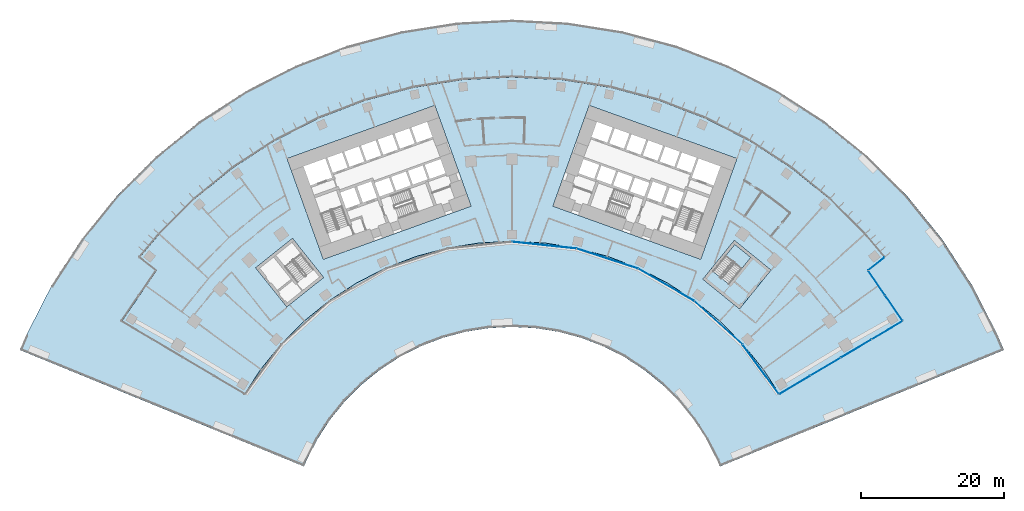
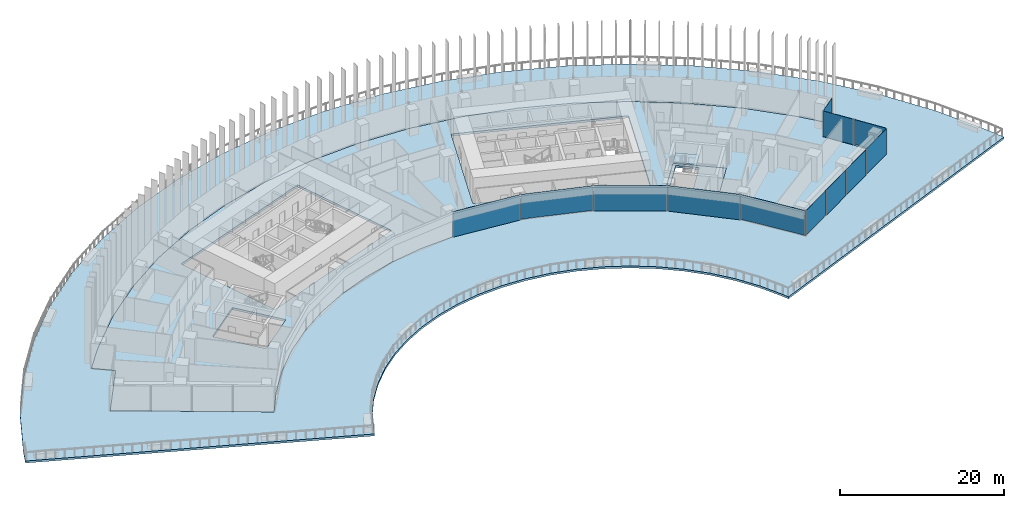
# One storey, part 13 of 24: 12 plates, 4 slabs, 5 elements without a shape of their own.
"""IFC4 building model written with IfcOpenShell, lengths in metres."""

import ifcopenshell
import ifcopenshell.guid

model = None  # the IFC model being written
_history = None  # IfcOwnerHistory: only IFC2X3 demands one
_inside = {}  # id of a spatial element -> (the spatial element, [elements in it])
_under = {}  # id of a project, library or spatial element -> (it, [spatial elements below it])
_declared = {}  # id of a project -> (the project, [libraries it declares])
_typed = {}  # id of a type object -> (the type object, [elements of that type])
_made_of = {}  # id of a material, layer set ... -> (it, [elements and type objects made of it])


def new_model(schema):
    """Start an empty IFC model of exactly this schema.

    Asked for "IFC4X3", IfcOpenShell would pick the latest addendum, in which some entities
    have other attributes; the version numbers below select the first issue.
    IFC2X3 requires an IfcOwnerHistory on every rooted entity: one is made here for all.
    """
    global model, _history
    if schema == "IFC4X3":
        model = ifcopenshell.file(schema_version=(4, 3, 0, 0))
    else:
        model = ifcopenshell.file(schema=schema)
    _inside.clear()
    _under.clear()
    _declared.clear()
    _typed.clear()
    _made_of.clear()
    _history = None
    if model.schema == "IFC2X3":
        org = make("IfcOrganization", Name="unknown")
        user = make(
            "IfcPersonAndOrganization",
            ThePerson=make("IfcPerson", FamilyName="unknown"),
            TheOrganization=org,
        )
        app = make(
            "IfcApplication",
            ApplicationDeveloper=org,
            Version="unknown",
            ApplicationFullName="unknown",
            ApplicationIdentifier="unknown",
        )
        _history = make(
            "IfcOwnerHistory",
            OwningUser=user,
            OwningApplication=app,
            ChangeAction="ADDED",
            CreationDate=0,
        )
    return model


def make(cls, **values):
    """One entity of the class cls with the attributes given. An attribute that is None is left unset."""
    return model.create_entity(
        cls, **{name: value for name, value in values.items() if value is not None}
    )


def rooted(cls, **values):
    """An entity with a GlobalId (a new one), such as an element, a storey or a relation."""
    return make(cls, GlobalId=ifcopenshell.guid.new(), OwnerHistory=_history, **values)


def si_unit(unit_type, name, prefix=None):
    """IfcSIUnit, for example si_unit("LENGTHUNIT", "METRE", prefix="MILLI")."""
    return make("IfcSIUnit", UnitType=unit_type, Prefix=prefix, Name=name)


def assignment(units):
    """IfcUnitAssignment: the units of a project."""
    return None if units is None else make("IfcUnitAssignment", Units=units)


def point(xyz):
    """IfcCartesianPoint."""
    return None if xyz is None else make("IfcCartesianPoint", Coordinates=xyz)


def direction(xyz):
    """IfcDirection."""
    return None if xyz is None else make("IfcDirection", DirectionRatios=xyz)


def frame(location, z_axis=None, x_axis=None):
    """IfcAxis2Placement3D, a coordinate frame: its origin and axes. An axis left out is left unset."""
    return make(
        "IfcAxis2Placement3D",
        Location=point(location),
        Axis=direction(z_axis),
        RefDirection=direction(x_axis),
    )


def frame_2d(location, x_axis=None):
    """IfcAxis2Placement2D, a coordinate frame in the plane: its origin and x axis."""
    return make(
        "IfcAxis2Placement2D", Location=point(location), RefDirection=direction(x_axis)
    )


def origin():
    """The frame at (0, 0, 0) with its axes left unset."""
    return frame((0.0, 0.0, 0.0))


def origin_2d():
    """The frame at (0, 0) in the plane with its x axis left unset."""
    return frame_2d((0.0, 0.0))


def place(relative_to, where):
    """IfcLocalPlacement: puts the frame where relative to a parent placement (None: the world)."""
    return make(
        "IfcLocalPlacement", PlacementRelTo=relative_to, RelativePlacement=where
    )


def context(
    kind, dimensions, precision=None, world=None, true_north=None, identifier=None
):
    """IfcGeometricRepresentationContext, for example the 3D "Model" context."""
    return make(
        "IfcGeometricRepresentationContext",
        ContextIdentifier=identifier,
        ContextType=kind,
        CoordinateSpaceDimension=dimensions,
        Precision=precision,
        WorldCoordinateSystem=world,
        TrueNorth=true_north,
    )


def subcontext(parent, identifier, kind, view, scale=None):
    """IfcGeometricRepresentationSubContext, for example "Body" below "Model"."""
    return make(
        "IfcGeometricRepresentationSubContext",
        ContextIdentifier=identifier,
        ContextType=kind,
        ParentContext=parent,
        TargetScale=scale,
        TargetView=view,
    )


def project(units=None, contexts=None):
    """IfcProject with its units and contexts."""
    return rooted(
        "IfcProject",
        Name="project",
        RepresentationContexts=contexts,
        UnitsInContext=assignment(units),
    )


def spatial(cls, under=None, at=None, **own):
    """A site, building, storey or space (cls), placed at a placement, below another one or the project."""
    s = rooted(cls, ObjectPlacement=at, **own)
    if under is not None:
        _under.setdefault(under.id(), (under, []))[1].append(s)
    return s


def polyline(points):
    """IfcPolyline through the points."""
    return make("IfcPolyline", Points=[point(p) for p in points])


def profile(cls, at=None, kind="AREA", **sizes):
    """A parametric profile (cls). Its sizes go by their IFC names, for example OverallWidth=200.0."""
    return make(cls, ProfileType=kind, Position=at, **sizes)


def rectangle(**sizes):
    """IfcRectangleProfileDef."""
    return profile("IfcRectangleProfileDef", **sizes)


def outline(outer, holes=None, kind="AREA"):
    """IfcArbitraryClosedProfileDef: a profile drawn as a closed curve; with holes, ...WithVoids."""
    if holes is None:
        return make("IfcArbitraryClosedProfileDef", ProfileType=kind, OuterCurve=outer)
    return make(
        "IfcArbitraryProfileDefWithVoids",
        ProfileType=kind,
        OuterCurve=outer,
        InnerCurves=holes,
    )


def extrude(swept, where, along, depth):
    """IfcExtrudedAreaSolid: the profile swept, set in the frame where, extruded along a direction by depth."""
    return make(
        "IfcExtrudedAreaSolid",
        SweptArea=swept,
        Position=where,
        ExtrudedDirection=direction(along),
        Depth=depth,
    )


def shape(context_of_items, identifier, shape_type, items):
    """IfcShapeRepresentation: the items that make up one representation, for example the "Body"."""
    return make(
        "IfcShapeRepresentation",
        ContextOfItems=context_of_items,
        RepresentationIdentifier=identifier,
        RepresentationType=shape_type,
        Items=items,
    )


def material(Name=None, Category=None):
    """IfcMaterial."""
    return make("IfcMaterial", Name=Name, Category=Category)


def layer(
    of_material, thickness, ventilated=None, Name=None, Category=None, Priority=None
):
    """IfcMaterialLayer: one layer of a wall or slab, of a material (None: an air gap)."""
    return make(
        "IfcMaterialLayer",
        Material=of_material,
        LayerThickness=thickness,
        IsVentilated=ventilated,
        Name=Name,
        Category=Category,
        Priority=Priority,
    )


def layer_set(layers, Name=None):
    """IfcMaterialLayerSet."""
    return make("IfcMaterialLayerSet", MaterialLayers=layers, LayerSetName=Name)


def made_of(thing, what):
    """Note that an element or type object is made of a material, layer set ...; save() writes the relation."""
    if what is not None:
        _made_of.setdefault(what.id(), (what, []))[1].append(thing)
    return thing


def type_object(cls, material=None, **own):
    """A type object (cls), such as IfcWallType, which elements share."""
    return made_of(rooted(cls, **own), material)


def element(
    cls,
    number,
    at=None,
    inside=None,
    cuts=None,
    type_object=None,
    material=None,
    context=None,
    identifier="Body",
    shape_type=None,
    held_by="IfcProductDefinitionShape",
    body=None,
    shapes=None,
    **own,
):
    """One element of the class cls, such as IfcWall. Its Tag is "e" and its number.

    at: its placement. inside: the storey or other place that contains it. cuts: it is an
    opening in that element (IfcRelVoidsElement). A single representation is given by context,
    identifier, shape_type and body (its items); several are given by shapes. held_by: the class
    of the entity that holds the representations. save() writes the other relations.
    """
    e = rooted(cls, Tag="e%d" % number, ObjectPlacement=at, **own)
    if body is not None:
        shapes = [shape(context, identifier, shape_type, body)]
    if shapes is not None:
        e.Representation = make(held_by, Representations=shapes)
    if inside is not None:
        _inside.setdefault(inside.id(), (inside, []))[1].append(e)
    if cuts is not None:
        rooted(
            "IfcRelVoidsElement", RelatingBuildingElement=cuts, RelatedOpeningElement=e
        )
    if type_object is not None:
        _typed.setdefault(type_object.id(), (type_object, []))[1].append(e)
    return made_of(e, material)


def aggregate(whole, parts):
    """IfcRelAggregates: a whole, such as a stair, and the parts it consists of."""
    return rooted("IfcRelAggregates", RelatingObject=whole, RelatedObjects=parts)


def save(model, path):
    """Write the relations noted so far, then the file.

    IfcRelAggregates (storeys below a building ...), IfcRelContainedInSpatialStructure (elements
    in a storey), IfcRelDefinesByType, IfcRelAssociatesMaterial and IfcRelDeclares: one each for
    every whole, place, type object, material and project.
    """
    for whole, parts in _under.values():
        aggregate(whole, parts)
    for where, things in _inside.values():
        rooted(
            "IfcRelContainedInSpatialStructure",
            RelatedElements=things,
            RelatingStructure=where,
        )
    for kind, things in _typed.values():
        rooted("IfcRelDefinesByType", RelatedObjects=things, RelatingType=kind)
    for what, things in _made_of.values():
        rooted("IfcRelAssociatesMaterial", RelatedObjects=things, RelatingMaterial=what)
    for by, libraries in _declared.values():
        rooted("IfcRelDeclares", RelatingContext=by, RelatedDefinitions=libraries)
    model.write(path)


model = new_model("IFC4")

# Units and contexts
model_context = context("Model", 3, precision=1e-05, world=origin(), true_north=direction((0.0, 1.0)))
body_context = subcontext(model_context, "Body", "Model", "MODEL_VIEW")
ifc_project = project(units=[si_unit("LENGTHUNIT", "METRE"), si_unit("AREAUNIT", "SQUARE_METRE"), si_unit("VOLUMEUNIT", "CUBIC_METRE"), si_unit("PLANEANGLEUNIT", "RADIAN"), si_unit("MASSUNIT", "GRAM", prefix="KILO")], contexts=[model_context])

# Site, building, storey
site_placement = place(None, origin())
site = spatial("IfcSite", under=ifc_project, at=site_placement, CompositionType="ELEMENT")
building_placement = place(site_placement, origin())
building = spatial("IfcBuilding", under=site, at=building_placement, Name="Stone Belt Terrace Tower", CompositionType="ELEMENT")
storey_placement = place(building_placement, frame((0.0, 0.0, 30.0)))
storey = spatial("IfcBuildingStorey", under=building, at=storey_placement, Name="L06", CompositionType="ELEMENT", Elevation=30.0)

# Curtain wall, plates
ifc_material_1 = material(Name="Aluminium 6063-T6 anodised frame", Category="aluminium")
ifc_layer_1 = layer(ifc_material_1, 0.14990234375)
ifc_layer_set_1 = layer_set([ifc_layer_1], Name="CW-B unitised concave-face curtain wall")
curtain_wall_type_1 = type_object("IfcCurtainWallType", Name="CW-B unitised concave-face curtain wall", PredefinedType="NOTDEFINED", material=ifc_layer_set_1)
curtain_wall_1_placement = place(storey_placement, origin())
curtain_wall_1 = element("IfcCurtainWall", 1, at=curtain_wall_1_placement, inside=storey, type_object=curtain_wall_type_1, Name="CW-B concave face L06", PredefinedType="NOTDEFINED")
ifc_material_2 = material(Name="Clear double glazed unit")
ifc_layer_2 = layer(ifc_material_2, 0.030029296875)
ifc_layer_set_2 = layer_set([ifc_layer_2], Name="CW-B glass panel 30")
plate_type_1 = type_object("IfcPlateType", Name="CW-B glass panel 30", PredefinedType="CURTAIN_PANEL", material=ifc_layer_set_2)
plate_1_placement = place(storey_placement, frame((4.51416015625, 42.9501953125, 0.0), z_axis=(0.0, 0.0, 1.0), x_axis=(0.994521895368, -0.104528463268, 0.0)))
plate_1 = element("IfcPlate", 2, at=plate_1_placement, type_object=plate_type_1, Name="CW-B panel 6.1", PredefinedType="CURTAIN_PANEL", context=body_context, shape_type="SweptSolid", body=[
    extrude(rectangle(XDim=9.0126953125, YDim=0.030029296875, at=origin_2d()), origin(), (0.0, 0.0, 1.0), 3.800048828125),
])
plate_2_placement = place(storey_placement, frame((13.345458984375, 41.072998046875, 0.1201171875), z_axis=(0.0, 0.0, 1.0), x_axis=(0.951056516295, -0.309016994375, 0.0)))
plate_2 = element("IfcPlate", 3, at=plate_2_placement, type_object=plate_type_1, Name="CW-B panel 7.1", PredefinedType="CURTAIN_PANEL", context=body_context, shape_type="SweptSolid", body=[
    extrude(rectangle(XDim=9.0126953125, YDim=0.030029296875, at=origin_2d()), origin(), (0.0, 0.0, 1.0), 3.679931640625),
])
plate_3_placement = place(storey_placement, frame((21.59326171875, 37.40087890625, 0.0), z_axis=(0.0, 0.0, 1.0), x_axis=(0.866025403784, -0.5, 0.0)))
plate_3 = element("IfcPlate", 4, at=plate_3_placement, type_object=plate_type_1, Name="CW-B panel 8.1", PredefinedType="CURTAIN_PANEL", context=body_context, shape_type="SweptSolid", body=[
    extrude(rectangle(XDim=9.0126953125, YDim=0.030029296875, at=origin_2d()), origin(), (0.0, 0.0, 1.0), 3.800048828125),
])
plate_4_placement = place(storey_placement, frame((28.897705078125, 32.09375, 0.0), z_axis=(0.0, 0.0, 1.0), x_axis=(0.743144825477, -0.669130606359, 0.0)))
plate_4 = element("IfcPlate", 5, at=plate_4_placement, type_object=plate_type_1, Name="CW-B panel 9.1", PredefinedType="CURTAIN_PANEL", context=body_context, shape_type="SweptSolid", body=[
    extrude(rectangle(XDim=9.01318359375, YDim=0.030029296875, at=origin_2d()), origin(), (0.0, 0.0, 1.0), 3.800048828125),
])
plate_5_placement = place(storey_placement, frame((34.831787109375, 25.57177734375, 0.1201171875), z_axis=(0.0, 0.0, 1.0), x_axis=(0.592159017675, -0.805821132626, 0.0)))
plate_5 = element("IfcPlate", 6, at=plate_5_placement, type_object=plate_type_1, Name="CW-B panel 10.1", PredefinedType="CURTAIN_PANEL", context=body_context, shape_type="SweptSolid", body=[
    extrude(rectangle(XDim=8.583984375, YDim=0.030029296875, at=origin_2d()), origin(), (0.0, 0.0, 1.0), 3.679931640625),
])
aggregate(curtain_wall_1, [plate_1, plate_2, plate_3, plate_4, plate_5])

ifc_layer_3 = layer(ifc_material_1, 0.14990234375)
ifc_layer_set_3 = layer_set([ifc_layer_3], Name="CW-C stick curtain wall, horn ends and notches")
curtain_wall_type_2 = type_object("IfcCurtainWallType", Name="CW-C stick curtain wall, horn ends and notches", PredefinedType="NOTDEFINED", material=ifc_layer_set_3)
curtain_wall_2_placement = place(storey_placement, origin())
curtain_wall_2 = element("IfcCurtainWall", 7, at=curtain_wall_2_placement, inside=storey, type_object=curtain_wall_type_2, Name="CW-C end face L06", PredefinedType="NOTDEFINED")
ifc_layer_4 = layer(ifc_material_2, 0.028076171875)
ifc_layer_set_4 = layer_set([ifc_layer_4], Name="CW-C glass panel 28")
plate_type_2 = type_object("IfcPlateType", Name="CW-C glass panel 28", PredefinedType="CURTAIN_PANEL", material=ifc_layer_set_4)
plate_6_placement = place(storey_placement, frame((39.613037109375, 23.359130859375, 0.1201171875), z_axis=(0.0, 0.0, 1.0), x_axis=(0.860557728521, 0.509352918793, 0.0)))
plate_6 = element("IfcPlate", 8, at=plate_6_placement, type_object=plate_type_2, Name="CW-C panel 1.1", PredefinedType="CURTAIN_PANEL", context=body_context, shape_type="SweptSolid", body=[
    extrude(rectangle(XDim=4.96533203125, YDim=0.028076171875, at=origin_2d()), origin(), (0.0, 0.0, 1.0), 3.679931640625),
])
plate_7_placement = place(storey_placement, frame((43.9267578125, 25.912353515625, 0.0), z_axis=(0.0, 0.0, 1.0), x_axis=(0.860557728521, 0.509352918793, 0.0)))
plate_7 = element("IfcPlate", 9, at=plate_7_placement, type_object=plate_type_2, Name="CW-C panel 2.1", PredefinedType="CURTAIN_PANEL", context=body_context, shape_type="SweptSolid", body=[
    extrude(rectangle(XDim=4.93994140625, YDim=0.028076171875, at=origin_2d()), origin(), (0.0, 0.0, 1.0), 3.800048828125),
])
plate_8_placement = place(storey_placement, frame((48.2294921875, 28.459228515625, 0.0), z_axis=(0.0, 0.0, 1.0), x_axis=(0.860557728521, 0.509352918793, 0.0)))
plate_8 = element("IfcPlate", 10, at=plate_8_placement, type_object=plate_type_2, Name="CW-C panel 3.1", PredefinedType="CURTAIN_PANEL", context=body_context, shape_type="SweptSolid", body=[
    extrude(rectangle(XDim=4.93994140625, YDim=0.028076171875, at=origin_2d()), origin(), (0.0, 0.0, 1.0), 3.800048828125),
])
plate_9_placement = place(storey_placement, frame((52.54736328125, 31.014892578125, 0.0), z_axis=(0.0, 0.0, 1.0), x_axis=(0.860557728521, 0.509352918793, 0.0)))
plate_9 = element("IfcPlate", 11, at=plate_9_placement, type_object=plate_type_2, Name="CW-C panel 4.1", PredefinedType="CURTAIN_PANEL", context=body_context, shape_type="SweptSolid", body=[
    extrude(rectangle(XDim=4.974853515625, YDim=0.028076171875, at=origin_2d()), origin(), (0.0, 0.0, 1.0), 3.800048828125),
])
aggregate(curtain_wall_2, [plate_6, plate_7, plate_8, plate_9])

curtain_wall_3_placement = place(storey_placement, origin())
curtain_wall_3 = element("IfcCurtainWall", 12, at=curtain_wall_3_placement, inside=storey, type_object=curtain_wall_type_2, Name="CW-C notch face L06", PredefinedType="NOTDEFINED")
plate_10_placement = place(storey_placement, frame((53.501220703125, 34.141357421875, 0.1201171875), z_axis=(0.0, 0.0, 1.0), x_axis=(-0.566375967567, 0.824146991357, 0.0)))
plate_10 = element("IfcPlate", 13, at=plate_10_placement, type_object=plate_type_2, Name="CW-C panel 1.1", PredefinedType="CURTAIN_PANEL", context=body_context, shape_type="SweptSolid", body=[
    extrude(rectangle(XDim=4.268798828125, YDim=0.028076171875, at=origin_2d()), origin(), (0.0, 0.0, 1.0), 3.679931640625),
])
plate_11_placement = place(storey_placement, frame((51.091552734375, 37.647705078125, 0.0), z_axis=(0.0, 0.0, 1.0), x_axis=(-0.566375967567, 0.824146991357, 0.0)))
plate_11 = element("IfcPlate", 14, at=plate_11_placement, type_object=plate_type_2, Name="CW-C panel 2.1", PredefinedType="CURTAIN_PANEL", context=body_context, shape_type="SweptSolid", body=[
    extrude(rectangle(XDim=4.12060546875, YDim=0.028076171875, at=origin_2d()), origin(), (0.0, 0.0, 1.0), 3.800048828125),
])
aggregate(curtain_wall_3, [plate_10, plate_11])

# Curtain wall, plate
curtain_wall_4_placement = place(storey_placement, origin())
curtain_wall_4 = element("IfcCurtainWall", 15, at=curtain_wall_4_placement, inside=storey, type_object=curtain_wall_type_2, Name="CW-C notch face L06", PredefinedType="NOTDEFINED")
plate_12_placement = place(storey_placement, frame((51.061279296875, 40.3388671875, 0.1201171875), z_axis=(0.0, 0.0, 1.0), x_axis=(0.783963828584, 0.620806504051, 0.0)))
plate_12 = element("IfcPlate", 16, at=plate_12_placement, type_object=plate_type_2, Name="CW-C panel 1.1", PredefinedType="CURTAIN_PANEL", context=body_context, shape_type="SweptSolid", body=[
    extrude(rectangle(XDim=2.859375, YDim=0.028076171875, at=origin_2d()), origin(), (0.0, 0.0, 1.0), 3.679931640625),
])
aggregate(curtain_wall_4, [plate_12])

# Slabs
ifc_material_3 = material(Name="Concrete B40", Category="concrete")
ifc_layer_5 = layer(ifc_material_3, 0.320068359375)
ifc_layer_set_5 = layer_set([ifc_layer_5], Name="Core floor slab 320")
slab_type_1 = type_object("IfcSlabType", Name="Core floor slab 320", PredefinedType="FLOOR", material=ifc_layer_set_5)
slab_1_placement = place(storey_placement, frame((0.0, 0.0, -0.320068359375)))
element("IfcSlab", 17, at=slab_1_placement, inside=storey, type_object=slab_type_1, Name="Exit stair ST3B floor L06", PredefinedType="FLOOR", context=body_context, shape_type="SweptSolid", body=[
    extrude(outline(polyline([(26.741943359375, 38.18408203125), (31.866943359375, 34.02392578125), (36.278076171875, 39.458984375), (31.154052734375, 43.618896484375), (26.741943359375, 38.18408203125)]), holes=[polyline([(30.407958984375, 37.462890625), (28.156005859375, 39.291015625), (31.2119140625, 43.055908203125), (33.464111328125, 41.22802734375), (30.407958984375, 37.462890625)])]), origin(), (0.0, 0.0, 1.0), 0.320068359375),
])
ifc_layer_6 = layer(ifc_material_3, 0.320068359375)
ifc_layer_set_6 = layer_set([ifc_layer_6], Name="Floor slab 320 B40")
slab_type_2 = type_object("IfcSlabType", Name="Floor slab 320 B40", PredefinedType="FLOOR", material=ifc_layer_set_6)
slab_2_placement = place(storey_placement, frame((0.0, 0.0, -0.320068359375)))
element("IfcSlab", 18, at=slab_2_placement, inside=storey, type_object=slab_type_2, Name="Floor slab L06", PredefinedType="FLOOR", context=body_context, shape_type="SweptSolid", body=[
    extrude(outline(polyline([(-49.419189453125, 44.497314453125), (-44.497314453125, 49.419189453125), (-39.087646484375, 53.799560546875), (-33.25, 57.5908203125), (-27.048095703125, 60.750732421875), (-20.549560546875, 63.245361328125), (-13.826171875, 65.046875), (-6.951171875, 66.1357421875), (0.0, 66.5), (6.951171875, 66.1357421875), (13.826171875, 65.046875), (20.549560546875, 63.245361328125), (27.048095703125, 60.750732421875), (33.25, 57.5908203125), (39.087646484375, 53.799560546875), (44.497314453125, 49.419189453125), (49.419189453125, 44.497314453125), (52.133544921875, 41.28369140625), (49.78173828125, 39.421142578125), (54.6455078125, 32.343994140625), (37.434326171875, 22.156982421875), (35.192138671875, 25.568603515625), (32.326904296875, 29.107177734375), (29.107177734375, 32.326904296875), (25.568603515625, 35.192138671875), (21.75, 37.672119140625), (17.693115234375, 39.7392578125), (13.442138671875, 41.37109375), (9.044189453125, 42.54931640625), (4.547119140625, 43.26171875), (0.0, 43.5), (-4.547119140625, 43.26171875), (-9.044189453125, 42.54931640625), (-13.442138671875, 41.37109375), (-17.693115234375, 39.7392578125), (-21.75, 37.672119140625), (-25.568603515625, 35.192138671875), (-29.107177734375, 32.326904296875), (-32.326904296875, 29.107177734375), (-35.192138671875, 25.568603515625), (-37.434326171875, 22.156982421875), (-54.6455078125, 32.343994140625), (-49.78173828125, 39.421142578125), (-52.133544921875, 41.28369140625), (-49.419189453125, 44.497314453125)]), holes=[polyline([(-26.434814453125, 40.968994140625), (-5.734619140625, 48.418701171875), (-10.81396484375, 62.532470703125), (-31.51416015625, 55.082763671875), (-26.434814453125, 40.968994140625)]), polyline([(10.81396484375, 62.532470703125), (5.734619140625, 48.418701171875), (26.434814453125, 40.968994140625), (31.51416015625, 55.082763671875), (10.81396484375, 62.532470703125)]), polyline([(-35.91796875, 39.787353515625), (-31.55615234375, 34.3125), (-26.39404296875, 38.425048828125), (-30.756103515625, 43.89990234375), (-35.91796875, 39.787353515625)]), polyline([(36.2783203125, 39.459228515625), (31.15380859375, 43.61865234375), (26.742431640625, 38.18359375), (31.86669921875, 34.024169921875), (36.2783203125, 39.459228515625)])]), origin(), (0.0, 0.0, 1.0), 0.320068359375),
])

# Stair, slab
stair_type = type_object("IfcStairType", Name="Exit stair 1500", PredefinedType="HALF_TURN_STAIR", material=ifc_material_3)
stair_placement = place(storey_placement, origin())
stair = element("IfcStair", 19, at=stair_placement, inside=storey, type_object=stair_type, Name="L06 Exit stair 3B", PredefinedType="HALF_TURN_STAIR")
ifc_layer_7 = layer(ifc_material_3, 0.199951171875)
ifc_layer_set_7 = layer_set([ifc_layer_7], Name="Stair landing 200")
slab_type_3 = type_object("IfcSlabType", Name="Stair landing 200", PredefinedType="LANDING", material=ifc_layer_set_7)
slab_3_placement = place(storey_placement, frame((0.0, 0.0, 1.699951171875)))
slab_3 = element("IfcSlab", 20, at=slab_3_placement, type_object=slab_type_3, Name="ST3B landing 1", PredefinedType="LANDING", context=body_context, shape_type="SweptSolid", body=[
    extrude(outline(polyline([(32.17138671875, 39.635986328125), (33.4638671875, 41.228271484375), (31.21240234375, 43.055908203125), (29.919921875, 41.463623046875), (32.17138671875, 39.635986328125)])), origin(), (0.0, 0.0, 1.0), 0.199951171875),
])
aggregate(stair, [slab_3])

# Slab
ifc_layer_8 = layer(ifc_material_3, 0.300048828125)
ifc_layer_set_8 = layer_set([ifc_layer_8], Name="Terrace slab 300 B40")
slab_type_4 = type_object("IfcSlabType", Name="Terrace slab 300 B40", PredefinedType="FLOOR", material=ifc_layer_set_8)
slab_4_placement = place(storey_placement, frame((0.0, 0.0, -0.300048828125)))
element("IfcSlab", 21, at=slab_4_placement, inside=storey, type_object=slab_type_4, Name="Terrace slab L06-podium_roof_garden-1", PredefinedType="FLOOR", context=body_context, shape_type="SweptSolid", body=[
    extrude(outline(polyline([(-68.9345703125, 28.253662109375), (-29.14697265625, 11.9462890625), (-28.776611328125, 12.812255859375), (-27.27978515625, 15.75), (-25.48388671875, 18.51513671875), (-23.4091796875, 21.07763671875), (-21.07763671875, 23.4091796875), (-18.51513671875, 25.48388671875), (-15.75, 27.27978515625), (-12.812255859375, 28.776611328125), (-9.73388671875, 29.958251953125), (-6.54931640625, 30.8115234375), (-3.29248046875, 31.327392578125), (0.0, 31.5), (3.29248046875, 31.327392578125), (6.54931640625, 30.8115234375), (9.73388671875, 29.958251953125), (12.812255859375, 28.776611328125), (15.75, 27.27978515625), (18.51513671875, 25.48388671875), (21.07763671875, 23.4091796875), (23.4091796875, 21.07763671875), (25.48388671875, 18.51513671875), (27.27978515625, 15.75), (28.776611328125, 12.812255859375), (29.14697265625, 11.9462890625), (68.9345703125, 28.253662109375), (68.05908203125, 30.302001953125), (64.518798828125, 37.25), (60.271728515625, 43.7900390625), (55.3642578125, 49.85009765625), (49.85009765625, 55.3642578125), (43.7900390625, 60.271728515625), (37.25, 64.518798828125), (30.302001953125, 68.05908203125), (23.021728515625, 70.853759765625), (15.489501953125, 72.8720703125), (7.787353515625, 74.091796875), (0.0, 74.5), (-7.787353515625, 74.091796875), (-15.489501953125, 72.8720703125), (-23.021728515625, 70.853759765625), (-30.302001953125, 68.05908203125), (-37.25, 64.518798828125), (-43.7900390625, 60.271728515625), (-49.85009765625, 55.3642578125), (-55.3642578125, 49.85009765625), (-60.271728515625, 43.7900390625), (-64.518798828125, 37.25), (-68.05908203125, 30.302001953125), (-68.9345703125, 28.253662109375)]), holes=[polyline([(-35.192138671875, 25.568603515625), (-37.434326171875, 22.156982421875), (-54.6455078125, 32.343994140625), (-49.78173828125, 39.421142578125), (-52.133544921875, 41.28369140625), (-49.419189453125, 44.497314453125), (-44.497314453125, 49.419189453125), (-39.087646484375, 53.799560546875), (-33.25, 57.5908203125), (-27.048095703125, 60.750732421875), (-20.549560546875, 63.245361328125), (-13.826171875, 65.046875), (-6.951171875, 66.1357421875), (0.0, 66.5), (6.951171875, 66.1357421875), (13.826171875, 65.046875), (20.549560546875, 63.245361328125), (27.048095703125, 60.750732421875), (33.25, 57.5908203125), (39.087646484375, 53.799560546875), (44.497314453125, 49.419189453125), (49.419189453125, 44.497314453125), (52.133544921875, 41.28369140625), (49.78173828125, 39.421142578125), (54.6455078125, 32.343994140625), (37.434326171875, 22.156982421875), (35.192138671875, 25.568603515625), (32.326904296875, 29.107177734375), (29.107177734375, 32.326904296875), (25.568603515625, 35.192138671875), (21.75, 37.672119140625), (17.693115234375, 39.7392578125), (13.442138671875, 41.37109375), (9.044189453125, 42.54931640625), (4.547119140625, 43.26171875), (0.0, 43.5), (-4.547119140625, 43.26171875), (-9.044189453125, 42.54931640625), (-13.442138671875, 41.37109375), (-17.693115234375, 39.7392578125), (-21.75, 37.672119140625), (-25.568603515625, 35.192138671875), (-29.107177734375, 32.326904296875), (-32.326904296875, 29.107177734375), (-35.192138671875, 25.568603515625)])]), origin(), (0.0, 0.0, 1.0), 0.300048828125),
])

save(model, "model.ifc")
